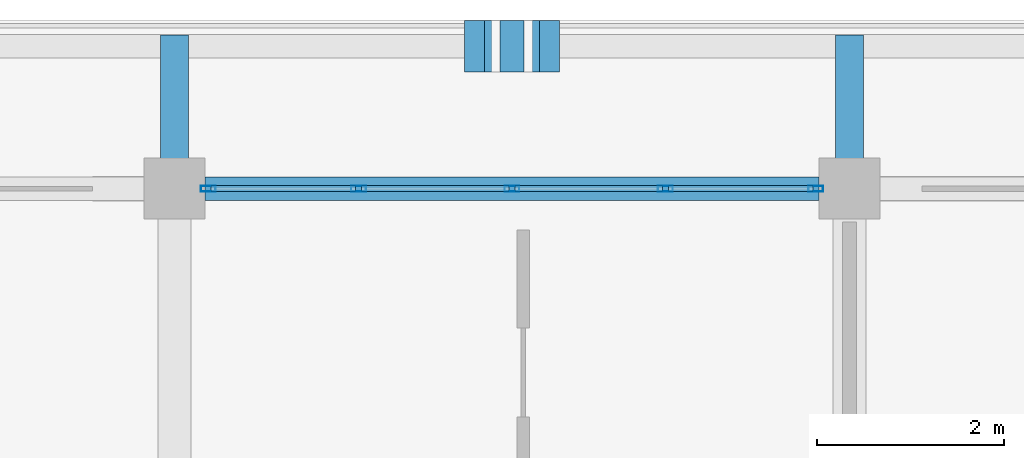
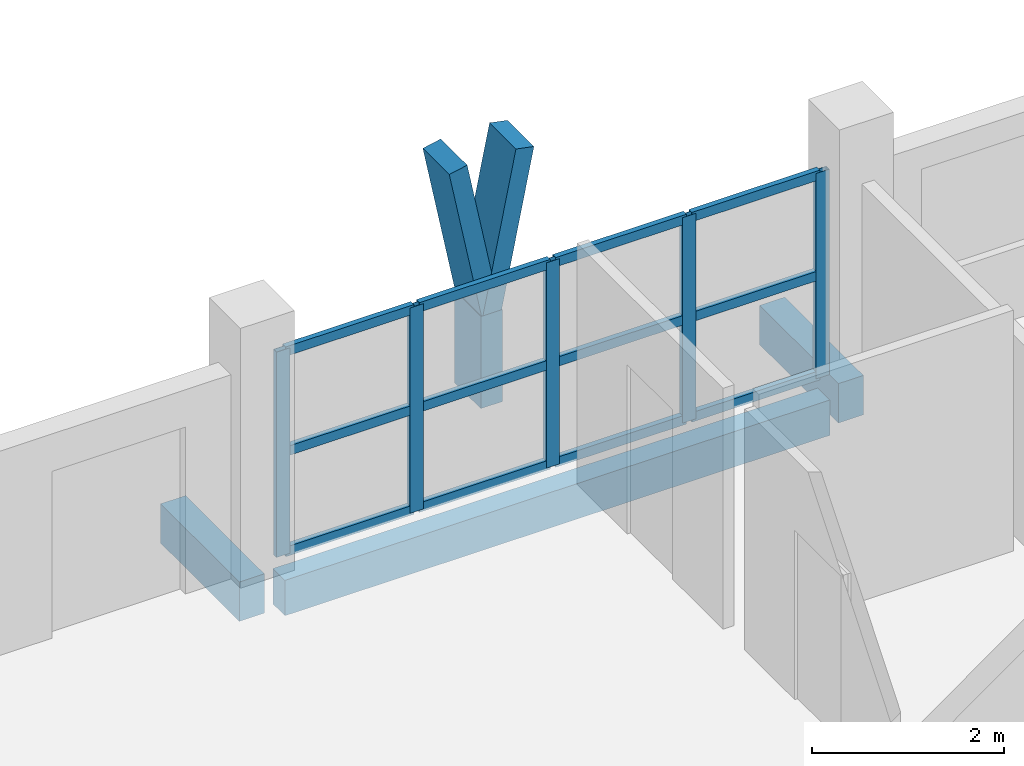
# One storey, part 10 of 75: 20 members, 3 beams, 1 element without a shape of its own.
"""IFC4 building model written with IfcOpenShell, lengths in metres."""

from ifc_helpers import new_model, si_unit, direction, frame, origin, origin_2d, place, context, subcontext, project, spatial, rectangle, hollow_rectangle, extrude, material, material_profile, profile_set, type_object, element, aggregate, save


model = new_model("IFC4")

# Units and contexts
model_context = context("Model", 3, precision=1e-05, world=origin(), true_north=direction((0.0, 1.0)))
body_context = subcontext(model_context, "Body", "Model", "MODEL_VIEW")
ifc_project = project(units=[si_unit("LENGTHUNIT", "METRE"), si_unit("AREAUNIT", "SQUARE_METRE"), si_unit("VOLUMEUNIT", "CUBIC_METRE"), si_unit("PLANEANGLEUNIT", "RADIAN"), si_unit("MASSUNIT", "GRAM", prefix="KILO")], contexts=[model_context])

# Site, building, storey
site_placement = place(None, origin())
site = spatial("IfcSite", under=ifc_project, at=site_placement, CompositionType="ELEMENT")
building_placement = place(site_placement, origin())
building = spatial("IfcBuilding", under=site, at=building_placement, Name="Suanplinth Sawtooth Commons", CompositionType="ELEMENT")
storey_placement = place(building_placement, frame((0.0, 0.0, 18.60009765625)))
storey = spatial("IfcBuildingStorey", under=building, at=storey_placement, Name="L05", CompositionType="ELEMENT", Elevation=18.60009765625)

# Beams
ifc_material_1 = material(Name="Precast concrete C40/50", Category="concrete")
ifc_material_profile_1 = material_profile(ifc_material_1, rectangle(XDim=0.300048828125, YDim=0.5, at=origin_2d()), Name="PC-BM 300x500")
ifc_profile_set_1 = profile_set([ifc_material_profile_1], Name="Precast concrete C40/50")
beam_type_1 = type_object("IfcBeamType", Name="B-07", PredefinedType="BEAM", material=ifc_profile_set_1)
for number, where, z_axis, x_axis, name in (
    (1, (14.39990234375, 122.39990234375, -0.43017578125), (0.0, 1.0, 0.0), (-1.0, 0.0, 0.0), "Balcony Outrigger L05-A-N-2"),
    (2, (21.60009765625, 122.39990234375, -0.43017578125), (0.0, 1.0, 0.0), (-1.0, 0.0, 0.0), "Balcony Outrigger L05-A-N-3"),
):
    element("IfcBeam", number, at=place(storey_placement, frame(where, z_axis=z_axis, x_axis=x_axis)), inside=storey, type_object=beam_type_1, Name=name, PredefinedType="BEAM", context=body_context, shape_type="SweptSolid", body=[
        extrude(rectangle(XDim=0.300048828125, YDim=0.5, at=origin_2d()), origin(), (0.0, 0.0, 1.0), 1.64013671875),
    ])
ifc_material_profile_2 = material_profile(ifc_material_1, rectangle(XDim=0.25, YDim=0.449951171875, at=origin_2d()), Name="PC-SP 250x450")
ifc_profile_set_2 = profile_set([ifc_material_profile_2], Name="Precast concrete C40/50")
beam_type_2 = type_object("IfcBeamType", Name="B-09", PredefinedType="SPANDREL", material=ifc_profile_set_2)
beam_placement = place(storey_placement, frame((14.72509765625, 122.39990234375, -0.47509765625), z_axis=(1.0, 0.0, 0.0), x_axis=(0.0, 1.0, 0.0)))
element("IfcBeam", 3, at=beam_placement, inside=storey, type_object=beam_type_2, Name="BMX-L05-A-2-17", PredefinedType="SPANDREL", context=body_context, shape_type="SweptSolid", body=[
    extrude(rectangle(XDim=0.25, YDim=0.449951171875, at=origin_2d()), origin(), (0.0, 0.0, 1.0), 6.5498046875),
])

# Members
ifc_material_2 = material(Name="Pigmented precast concrete C40/50", Category="concrete")
ifc_material_profile_3 = material_profile(ifc_material_2, rectangle(XDim=0.260009765625, YDim=0.550048828125, at=origin_2d()), Name="PC-FIN 260x550")
ifc_profile_set_3 = profile_set([ifc_material_profile_3], Name="Pigmented precast concrete C40/50")
member_type_1 = type_object("IfcMemberType", Name="M-09", PredefinedType="USERDEFINED", material=ifc_profile_set_3)
member_1_placement = place(storey_placement, frame((18.0, 123.919921875, 0.0), z_axis=(0.0, 0.0, 1.0), x_axis=(1.0, 0.0, 0.0)))
element("IfcMember", 4, at=member_1_placement, inside=storey, type_object=member_type_1, Name="Y-Blade Stem L05-A-N-01", ObjectType="SHADING FIN", PredefinedType="USERDEFINED", context=body_context, shape_type="SweptSolid", body=[
    extrude(rectangle(XDim=0.260009765625, YDim=0.550048828125, at=origin_2d()), origin(), (0.0, 0.0, 1.0), 1.169921875),
])
ifc_material_profile_4 = material_profile(ifc_material_2, rectangle(XDim=0.219970703125, YDim=0.550048828125, at=origin_2d()), Name="PC-FIN 220x550")
ifc_profile_set_4 = profile_set([ifc_material_profile_4], Name="Pigmented precast concrete C40/50")
member_type_2 = type_object("IfcMemberType", Name="M-10", PredefinedType="USERDEFINED", material=ifc_profile_set_4)
for number, where, z_axis, x_axis, name in (
    (5, (18.0, 123.919921875, 1.1298828125), (-0.196530428008, 0.0, 0.98049772609), (0.98049772609, 0.0, 0.196530428008), "Y-Blade Arm L L05-A-N-01"),
    (6, (18.0, 123.919921875, 1.1298828125), (0.196530428008, 0.0, 0.98049772609), (-0.98049772609, 0.0, 0.196530428008), "Y-Blade Arm R L05-A-N-01"),
):
    element("IfcMember", number, at=place(storey_placement, frame(where, z_axis=z_axis, x_axis=x_axis)), inside=storey, type_object=member_type_2, Name=name, ObjectType="SHADING FIN", PredefinedType="USERDEFINED", context=body_context, shape_type="SweptSolid", body=[
        extrude(rectangle(XDim=0.219970703125, YDim=0.550048828125, at=origin_2d()), origin(), (0.0, 0.0, 1.0), 2.039794921875),
    ])

# Curtain wall, members
ifc_material_3 = material(Name="Anodized aluminium and low-E glazing", Category="aluminium")
curtain_wall_type = type_object("IfcCurtainWallType", Name="CW-06", PredefinedType="USERDEFINED", material=ifc_material_3)
curtain_wall_placement = place(storey_placement, origin())
curtain_wall = element("IfcCurtainWall", 7, at=curtain_wall_placement, inside=storey, type_object=curtain_wall_type, Name="Curtain Wall CW-L05-A-LOUNGE-2", ObjectType="CURTAIN WALL", PredefinedType="USERDEFINED")
ifc_material_4 = material(Name="Anodized aluminium 6063-T6", Category="aluminium")
ifc_material_profile_5 = material_profile(ifc_material_4, hollow_rectangle(XDim=0.06494140625, YDim=0.159912109375, WallThickness=0.00390625, at=origin_2d()), Name="ALU-MUL 65x160")
ifc_profile_set_5 = profile_set([ifc_material_profile_5], Name="Anodized aluminium 6063-T6")
member_type_3 = type_object("IfcMemberType", Name="M-13", PredefinedType="MULLION", material=ifc_profile_set_5)
member_2_placement = place(storey_placement, frame((14.757568359375, 122.39990234375, 0.0), z_axis=(0.0, 0.0, 1.0), x_axis=(0.0, 1.0, 0.0)))
member_2 = element("IfcMember", 8, at=member_2_placement, type_object=member_type_3, Name="CW-06 mullion 1", PredefinedType="MULLION", context=body_context, shape_type="SweptSolid", body=[
    extrude(hollow_rectangle(XDim=0.06494140625, YDim=0.159912109375, WallThickness=0.00390625, at=origin_2d()), origin(), (0.0, 0.0, 1.0), 2.60986328125),
])
member_3_placement = place(storey_placement, frame((16.362548828125, 122.39990234375, 0.0), z_axis=(0.0, 0.0, 1.0), x_axis=(0.0, 1.0, 0.0)))
member_3 = element("IfcMember", 9, at=member_3_placement, type_object=member_type_3, Name="CW-06 mullion 2", PredefinedType="MULLION", context=body_context, shape_type="SweptSolid", body=[
    extrude(hollow_rectangle(XDim=0.06494140625, YDim=0.159912109375, WallThickness=0.00390625, at=origin_2d()), origin(), (0.0, 0.0, 1.0), 2.60986328125),
])
member_4_placement = place(storey_placement, frame((18.0, 122.39990234375, 0.0), z_axis=(0.0, 0.0, 1.0), x_axis=(0.0, 1.0, 0.0)))
member_4 = element("IfcMember", 10, at=member_4_placement, type_object=member_type_3, Name="CW-06 mullion 3", PredefinedType="MULLION", context=body_context, shape_type="SweptSolid", body=[
    extrude(hollow_rectangle(XDim=0.06494140625, YDim=0.159912109375, WallThickness=0.00390625, at=origin_2d()), origin(), (0.0, 0.0, 1.0), 2.60986328125),
])
member_5_placement = place(storey_placement, frame((19.637451171875, 122.39990234375, 0.0), z_axis=(0.0, 0.0, 1.0), x_axis=(0.0, 1.0, 0.0)))
member_5 = element("IfcMember", 11, at=member_5_placement, type_object=member_type_3, Name="CW-06 mullion 4", PredefinedType="MULLION", context=body_context, shape_type="SweptSolid", body=[
    extrude(hollow_rectangle(XDim=0.06494140625, YDim=0.159912109375, WallThickness=0.00390625, at=origin_2d()), origin(), (0.0, 0.0, 1.0), 2.60986328125),
])
member_6_placement = place(storey_placement, frame((21.242431640625, 122.39990234375, 0.0), z_axis=(0.0, 0.0, 1.0), x_axis=(0.0, 1.0, 0.0)))
member_6 = element("IfcMember", 12, at=member_6_placement, type_object=member_type_3, Name="CW-06 mullion 5", PredefinedType="MULLION", context=body_context, shape_type="SweptSolid", body=[
    extrude(hollow_rectangle(XDim=0.06494140625, YDim=0.159912109375, WallThickness=0.00390625, at=origin_2d()), origin(), (0.0, 0.0, 1.0), 2.60986328125),
])
ifc_material_profile_6 = material_profile(ifc_material_4, hollow_rectangle(XDim=0.06494140625, YDim=0.1201171875, WallThickness=0.00390625, at=origin_2d()), Name="ALU-TRN 65x120")
ifc_profile_set_6 = profile_set([ifc_material_profile_6], Name="Anodized aluminium 6063-T6")
member_type_4 = type_object("IfcMemberType", Name="M-15", PredefinedType="USERDEFINED", material=ifc_profile_set_6)
member_7_placement = place(storey_placement, frame((14.7900390625, 122.39990234375, 0.032470703125), z_axis=(1.0, 0.0, 0.0), x_axis=(0.0, 1.0, 0.0)))
member_7 = element("IfcMember", 13, at=member_7_placement, type_object=member_type_4, Name="CW-06 transom 1.1", ObjectType="TRANSOM", PredefinedType="USERDEFINED", context=body_context, shape_type="SweptSolid", body=[
    extrude(hollow_rectangle(XDim=0.06494140625, YDim=0.1201171875, WallThickness=0.00390625, at=origin_2d()), origin(), (0.0, 0.0, 1.0), 1.5400390625),
])
member_8_placement = place(storey_placement, frame((14.7900390625, 122.39990234375, 1.304931640625), z_axis=(1.0, 0.0, 0.0), x_axis=(0.0, 1.0, 0.0)))
member_8 = element("IfcMember", 14, at=member_8_placement, type_object=member_type_4, Name="CW-06 transom 1.2", ObjectType="TRANSOM", PredefinedType="USERDEFINED", context=body_context, shape_type="SweptSolid", body=[
    extrude(hollow_rectangle(XDim=0.06494140625, YDim=0.1201171875, WallThickness=0.00390625, at=origin_2d()), origin(), (0.0, 0.0, 1.0), 1.5400390625),
])
member_9_placement = place(storey_placement, frame((14.7900390625, 122.39990234375, 2.577392578125), z_axis=(1.0, 0.0, 0.0), x_axis=(0.0, 1.0, 0.0)))
member_9 = element("IfcMember", 15, at=member_9_placement, type_object=member_type_4, Name="CW-06 transom 1.3", ObjectType="TRANSOM", PredefinedType="USERDEFINED", context=body_context, shape_type="SweptSolid", body=[
    extrude(hollow_rectangle(XDim=0.06494140625, YDim=0.1201171875, WallThickness=0.00390625, at=origin_2d()), origin(), (0.0, 0.0, 1.0), 1.5400390625),
])
member_10_placement = place(storey_placement, frame((16.39501953125, 122.39990234375, 0.032470703125), z_axis=(1.0, 0.0, 0.0), x_axis=(0.0, 1.0, 0.0)))
member_10 = element("IfcMember", 16, at=member_10_placement, type_object=member_type_4, Name="CW-06 transom 2.1", ObjectType="TRANSOM", PredefinedType="USERDEFINED", context=body_context, shape_type="SweptSolid", body=[
    extrude(hollow_rectangle(XDim=0.06494140625, YDim=0.1201171875, WallThickness=0.00390625, at=origin_2d()), origin(), (0.0, 0.0, 1.0), 1.572509765625),
])
member_11_placement = place(storey_placement, frame((16.39501953125, 122.39990234375, 1.304931640625), z_axis=(1.0, 0.0, 0.0), x_axis=(0.0, 1.0, 0.0)))
member_11 = element("IfcMember", 17, at=member_11_placement, type_object=member_type_4, Name="CW-06 transom 2.2", ObjectType="TRANSOM", PredefinedType="USERDEFINED", context=body_context, shape_type="SweptSolid", body=[
    extrude(hollow_rectangle(XDim=0.06494140625, YDim=0.1201171875, WallThickness=0.00390625, at=origin_2d()), origin(), (0.0, 0.0, 1.0), 1.572509765625),
])
member_12_placement = place(storey_placement, frame((16.39501953125, 122.39990234375, 2.577392578125), z_axis=(1.0, 0.0, 0.0), x_axis=(0.0, 1.0, 0.0)))
member_12 = element("IfcMember", 18, at=member_12_placement, type_object=member_type_4, Name="CW-06 transom 2.3", ObjectType="TRANSOM", PredefinedType="USERDEFINED", context=body_context, shape_type="SweptSolid", body=[
    extrude(hollow_rectangle(XDim=0.06494140625, YDim=0.1201171875, WallThickness=0.00390625, at=origin_2d()), origin(), (0.0, 0.0, 1.0), 1.572509765625),
])
member_13_placement = place(storey_placement, frame((18.032470703125, 122.39990234375, 0.032470703125), z_axis=(1.0, 0.0, 0.0), x_axis=(0.0, 1.0, 0.0)))
member_13 = element("IfcMember", 19, at=member_13_placement, type_object=member_type_4, Name="CW-06 transom 3.1", ObjectType="TRANSOM", PredefinedType="USERDEFINED", context=body_context, shape_type="SweptSolid", body=[
    extrude(hollow_rectangle(XDim=0.06494140625, YDim=0.1201171875, WallThickness=0.00390625, at=origin_2d()), origin(), (0.0, 0.0, 1.0), 1.572509765625),
])
member_14_placement = place(storey_placement, frame((18.032470703125, 122.39990234375, 1.304931640625), z_axis=(1.0, 0.0, 0.0), x_axis=(0.0, 1.0, 0.0)))
member_14 = element("IfcMember", 20, at=member_14_placement, type_object=member_type_4, Name="CW-06 transom 3.2", ObjectType="TRANSOM", PredefinedType="USERDEFINED", context=body_context, shape_type="SweptSolid", body=[
    extrude(hollow_rectangle(XDim=0.06494140625, YDim=0.1201171875, WallThickness=0.00390625, at=origin_2d()), origin(), (0.0, 0.0, 1.0), 1.572509765625),
])
member_15_placement = place(storey_placement, frame((18.032470703125, 122.39990234375, 2.577392578125), z_axis=(1.0, 0.0, 0.0), x_axis=(0.0, 1.0, 0.0)))
member_15 = element("IfcMember", 21, at=member_15_placement, type_object=member_type_4, Name="CW-06 transom 3.3", ObjectType="TRANSOM", PredefinedType="USERDEFINED", context=body_context, shape_type="SweptSolid", body=[
    extrude(hollow_rectangle(XDim=0.06494140625, YDim=0.1201171875, WallThickness=0.00390625, at=origin_2d()), origin(), (0.0, 0.0, 1.0), 1.572509765625),
])
member_16_placement = place(storey_placement, frame((19.669921875, 122.39990234375, 0.032470703125), z_axis=(1.0, 0.0, 0.0), x_axis=(0.0, 1.0, 0.0)))
member_16 = element("IfcMember", 22, at=member_16_placement, type_object=member_type_4, Name="CW-06 transom 4.1", ObjectType="TRANSOM", PredefinedType="USERDEFINED", context=body_context, shape_type="SweptSolid", body=[
    extrude(hollow_rectangle(XDim=0.06494140625, YDim=0.1201171875, WallThickness=0.00390625, at=origin_2d()), origin(), (0.0, 0.0, 1.0), 1.5400390625),
])
member_17_placement = place(storey_placement, frame((19.669921875, 122.39990234375, 1.304931640625), z_axis=(1.0, 0.0, 0.0), x_axis=(0.0, 1.0, 0.0)))
member_17 = element("IfcMember", 23, at=member_17_placement, type_object=member_type_4, Name="CW-06 transom 4.2", ObjectType="TRANSOM", PredefinedType="USERDEFINED", context=body_context, shape_type="SweptSolid", body=[
    extrude(hollow_rectangle(XDim=0.06494140625, YDim=0.1201171875, WallThickness=0.00390625, at=origin_2d()), origin(), (0.0, 0.0, 1.0), 1.5400390625),
])
member_18_placement = place(storey_placement, frame((19.669921875, 122.39990234375, 2.577392578125), z_axis=(1.0, 0.0, 0.0), x_axis=(0.0, 1.0, 0.0)))
member_18 = element("IfcMember", 24, at=member_18_placement, type_object=member_type_4, Name="CW-06 transom 4.3", ObjectType="TRANSOM", PredefinedType="USERDEFINED", context=body_context, shape_type="SweptSolid", body=[
    extrude(hollow_rectangle(XDim=0.06494140625, YDim=0.1201171875, WallThickness=0.00390625, at=origin_2d()), origin(), (0.0, 0.0, 1.0), 1.5400390625),
])
aggregate(curtain_wall, [member_2, member_3, member_4, member_5, member_6, member_7, member_8, member_9, member_10, member_11, member_12, member_13, member_14, member_15, member_16, member_17, member_18])

save(model, "model.ifc")
